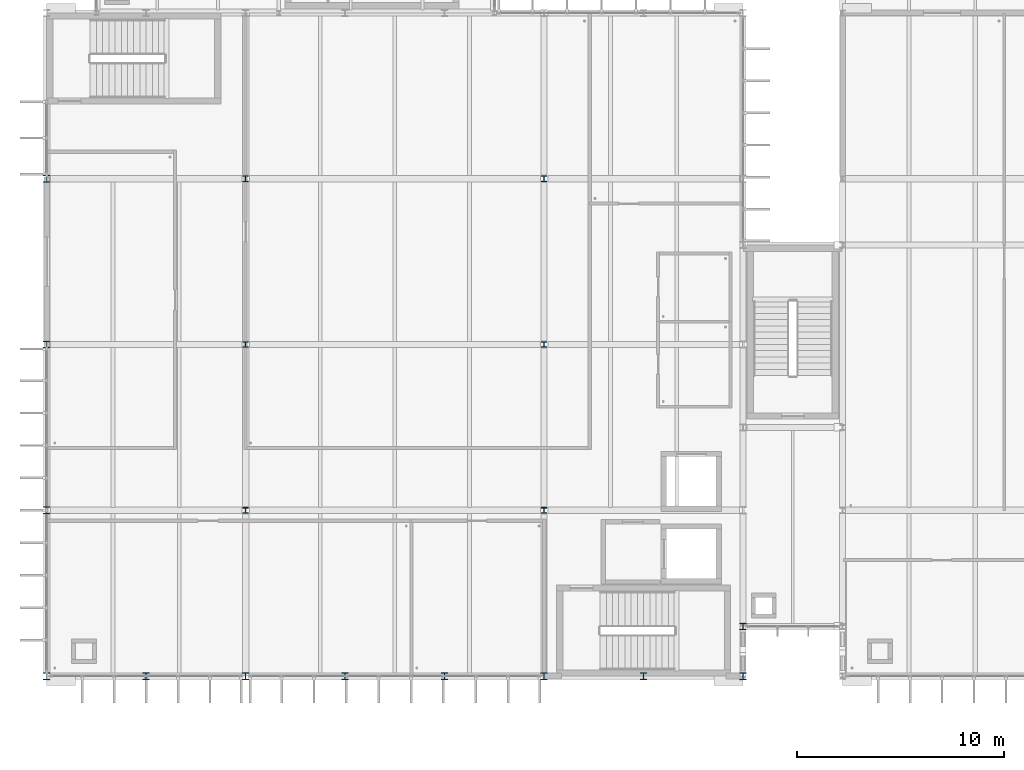
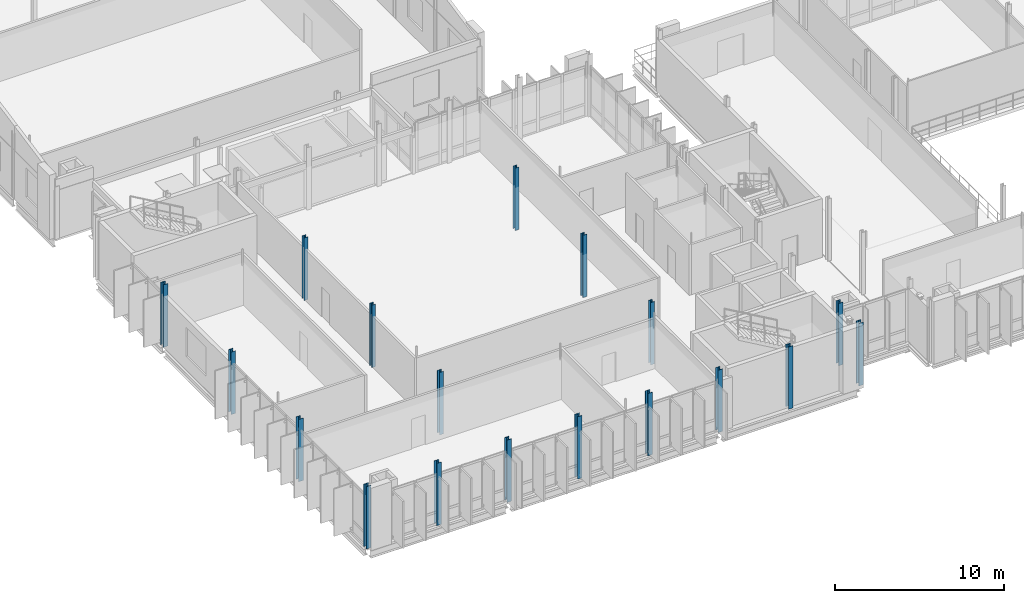
# One storey, part 1 of 93: 18 columns.
"""IFC4 building model written with IfcOpenShell, lengths in metres."""

import ifcopenshell
import ifcopenshell.guid

model = None  # the IFC model being written
_history = None  # IfcOwnerHistory: only IFC2X3 demands one
_inside = {}  # id of a spatial element -> (the spatial element, [elements in it])
_under = {}  # id of a project, library or spatial element -> (it, [spatial elements below it])
_declared = {}  # id of a project -> (the project, [libraries it declares])
_typed = {}  # id of a type object -> (the type object, [elements of that type])
_made_of = {}  # id of a material, layer set ... -> (it, [elements and type objects made of it])


def new_model(schema):
    """Start an empty IFC model of exactly this schema.

    Asked for "IFC4X3", IfcOpenShell would pick the latest addendum, in which some entities
    have other attributes; the version numbers below select the first issue.
    IFC2X3 requires an IfcOwnerHistory on every rooted entity: one is made here for all.
    """
    global model, _history
    if schema == "IFC4X3":
        model = ifcopenshell.file(schema_version=(4, 3, 0, 0))
    else:
        model = ifcopenshell.file(schema=schema)
    _inside.clear()
    _under.clear()
    _declared.clear()
    _typed.clear()
    _made_of.clear()
    _history = None
    if model.schema == "IFC2X3":
        org = make("IfcOrganization", Name="unknown")
        user = make(
            "IfcPersonAndOrganization",
            ThePerson=make("IfcPerson", FamilyName="unknown"),
            TheOrganization=org,
        )
        app = make(
            "IfcApplication",
            ApplicationDeveloper=org,
            Version="unknown",
            ApplicationFullName="unknown",
            ApplicationIdentifier="unknown",
        )
        _history = make(
            "IfcOwnerHistory",
            OwningUser=user,
            OwningApplication=app,
            ChangeAction="ADDED",
            CreationDate=0,
        )
    return model


def make(cls, **values):
    """One entity of the class cls with the attributes given. An attribute that is None is left unset."""
    return model.create_entity(
        cls, **{name: value for name, value in values.items() if value is not None}
    )


def rooted(cls, **values):
    """An entity with a GlobalId (a new one), such as an element, a storey or a relation."""
    return make(cls, GlobalId=ifcopenshell.guid.new(), OwnerHistory=_history, **values)


def si_unit(unit_type, name, prefix=None):
    """IfcSIUnit, for example si_unit("LENGTHUNIT", "METRE", prefix="MILLI")."""
    return make("IfcSIUnit", UnitType=unit_type, Prefix=prefix, Name=name)


def assignment(units):
    """IfcUnitAssignment: the units of a project."""
    return None if units is None else make("IfcUnitAssignment", Units=units)


def point(xyz):
    """IfcCartesianPoint."""
    return None if xyz is None else make("IfcCartesianPoint", Coordinates=xyz)


def direction(xyz):
    """IfcDirection."""
    return None if xyz is None else make("IfcDirection", DirectionRatios=xyz)


def frame(location, z_axis=None, x_axis=None):
    """IfcAxis2Placement3D, a coordinate frame: its origin and axes. An axis left out is left unset."""
    return make(
        "IfcAxis2Placement3D",
        Location=point(location),
        Axis=direction(z_axis),
        RefDirection=direction(x_axis),
    )


def frame_2d(location, x_axis=None):
    """IfcAxis2Placement2D, a coordinate frame in the plane: its origin and x axis."""
    return make(
        "IfcAxis2Placement2D", Location=point(location), RefDirection=direction(x_axis)
    )


def origin():
    """The frame at (0, 0, 0) with its axes left unset."""
    return frame((0.0, 0.0, 0.0))


def origin_2d():
    """The frame at (0, 0) in the plane with its x axis left unset."""
    return frame_2d((0.0, 0.0))


def place(relative_to, where):
    """IfcLocalPlacement: puts the frame where relative to a parent placement (None: the world)."""
    return make(
        "IfcLocalPlacement", PlacementRelTo=relative_to, RelativePlacement=where
    )


def context(
    kind, dimensions, precision=None, world=None, true_north=None, identifier=None
):
    """IfcGeometricRepresentationContext, for example the 3D "Model" context."""
    return make(
        "IfcGeometricRepresentationContext",
        ContextIdentifier=identifier,
        ContextType=kind,
        CoordinateSpaceDimension=dimensions,
        Precision=precision,
        WorldCoordinateSystem=world,
        TrueNorth=true_north,
    )


def subcontext(parent, identifier, kind, view, scale=None):
    """IfcGeometricRepresentationSubContext, for example "Body" below "Model"."""
    return make(
        "IfcGeometricRepresentationSubContext",
        ContextIdentifier=identifier,
        ContextType=kind,
        ParentContext=parent,
        TargetScale=scale,
        TargetView=view,
    )


def project(units=None, contexts=None):
    """IfcProject with its units and contexts."""
    return rooted(
        "IfcProject",
        Name="project",
        RepresentationContexts=contexts,
        UnitsInContext=assignment(units),
    )


def spatial(cls, under=None, at=None, **own):
    """A site, building, storey or space (cls), placed at a placement, below another one or the project."""
    s = rooted(cls, ObjectPlacement=at, **own)
    if under is not None:
        _under.setdefault(under.id(), (under, []))[1].append(s)
    return s


def profile(cls, at=None, kind="AREA", **sizes):
    """A parametric profile (cls). Its sizes go by their IFC names, for example OverallWidth=200.0."""
    return make(cls, ProfileType=kind, Position=at, **sizes)


def i_section(**sizes):
    """IfcIShapeProfileDef."""
    return profile("IfcIShapeProfileDef", **sizes)


def extrude(swept, where, along, depth):
    """IfcExtrudedAreaSolid: the profile swept, set in the frame where, extruded along a direction by depth."""
    return make(
        "IfcExtrudedAreaSolid",
        SweptArea=swept,
        Position=where,
        ExtrudedDirection=direction(along),
        Depth=depth,
    )


def shape(context_of_items, identifier, shape_type, items):
    """IfcShapeRepresentation: the items that make up one representation, for example the "Body"."""
    return make(
        "IfcShapeRepresentation",
        ContextOfItems=context_of_items,
        RepresentationIdentifier=identifier,
        RepresentationType=shape_type,
        Items=items,
    )


def material(Name=None, Category=None):
    """IfcMaterial."""
    return make("IfcMaterial", Name=Name, Category=Category)


def material_profile(
    of_material, cross_section, Name=None, Category=None, Priority=None
):
    """IfcMaterialProfile: a cross section and its material."""
    return make(
        "IfcMaterialProfile",
        Name=Name,
        Material=of_material,
        Profile=cross_section,
        Priority=Priority,
        Category=Category,
    )


def profile_set(profiles, Name=None, composite=None):
    """IfcMaterialProfileSet."""
    return make(
        "IfcMaterialProfileSet",
        Name=Name,
        MaterialProfiles=profiles,
        CompositeProfile=composite,
    )


def made_of(thing, what):
    """Note that an element or type object is made of a material, layer set ...; save() writes the relation."""
    if what is not None:
        _made_of.setdefault(what.id(), (what, []))[1].append(thing)
    return thing


def type_object(cls, material=None, **own):
    """A type object (cls), such as IfcWallType, which elements share."""
    return made_of(rooted(cls, **own), material)


def element(
    cls,
    number,
    at=None,
    inside=None,
    cuts=None,
    type_object=None,
    material=None,
    context=None,
    identifier="Body",
    shape_type=None,
    held_by="IfcProductDefinitionShape",
    body=None,
    shapes=None,
    **own,
):
    """One element of the class cls, such as IfcWall. Its Tag is "e" and its number.

    at: its placement. inside: the storey or other place that contains it. cuts: it is an
    opening in that element (IfcRelVoidsElement). A single representation is given by context,
    identifier, shape_type and body (its items); several are given by shapes. held_by: the class
    of the entity that holds the representations. save() writes the other relations.
    """
    e = rooted(cls, Tag="e%d" % number, ObjectPlacement=at, **own)
    if body is not None:
        shapes = [shape(context, identifier, shape_type, body)]
    if shapes is not None:
        e.Representation = make(held_by, Representations=shapes)
    if inside is not None:
        _inside.setdefault(inside.id(), (inside, []))[1].append(e)
    if cuts is not None:
        rooted(
            "IfcRelVoidsElement", RelatingBuildingElement=cuts, RelatedOpeningElement=e
        )
    if type_object is not None:
        _typed.setdefault(type_object.id(), (type_object, []))[1].append(e)
    return made_of(e, material)


def aggregate(whole, parts):
    """IfcRelAggregates: a whole, such as a stair, and the parts it consists of."""
    return rooted("IfcRelAggregates", RelatingObject=whole, RelatedObjects=parts)


def save(model, path):
    """Write the relations noted so far, then the file.

    IfcRelAggregates (storeys below a building ...), IfcRelContainedInSpatialStructure (elements
    in a storey), IfcRelDefinesByType, IfcRelAssociatesMaterial and IfcRelDeclares: one each for
    every whole, place, type object, material and project.
    """
    for whole, parts in _under.values():
        aggregate(whole, parts)
    for where, things in _inside.values():
        rooted(
            "IfcRelContainedInSpatialStructure",
            RelatedElements=things,
            RelatingStructure=where,
        )
    for kind, things in _typed.values():
        rooted("IfcRelDefinesByType", RelatedObjects=things, RelatingType=kind)
    for what, things in _made_of.values():
        rooted("IfcRelAssociatesMaterial", RelatedObjects=things, RelatingMaterial=what)
    for by, libraries in _declared.values():
        rooted("IfcRelDeclares", RelatingContext=by, RelatedDefinitions=libraries)
    model.write(path)


model = new_model("IFC4")

# Units and contexts
model_context = context("Model", 3, precision=1e-05, world=origin(), true_north=direction((0.0, 1.0)))
body_context = subcontext(model_context, "Body", "Model", "MODEL_VIEW")
ifc_project = project(units=[si_unit("LENGTHUNIT", "METRE"), si_unit("AREAUNIT", "SQUARE_METRE"), si_unit("VOLUMEUNIT", "CUBIC_METRE"), si_unit("PLANEANGLEUNIT", "RADIAN"), si_unit("MASSUNIT", "GRAM", prefix="KILO")], contexts=[model_context])

# Site, building, storey
site_placement = place(None, origin())
site = spatial("IfcSite", under=ifc_project, at=site_placement, CompositionType="ELEMENT")
building_placement = place(site_placement, origin())
building = spatial("IfcBuilding", under=site, at=building_placement, Name="Dunescarp Central Library", CompositionType="ELEMENT")
storey_placement = place(building_placement, frame((0.0, 0.0, 14.10009765625)))
storey = spatial("IfcBuildingStorey", under=building, at=storey_placement, Name="L03", CompositionType="ELEMENT", Elevation=14.10009765625)

# Columns
ifc_material = material(Name="Steel S355JR", Category="steel")
ifc_material_profile_1 = material_profile(ifc_material, i_section(OverallWidth=0.26123046875, OverallDepth=0.2763671875, WebThickness=0.015380859375, FlangeThickness=0.025390625, at=origin_2d()), Name="UC 254x254x132")
ifc_profile_set_1 = profile_set([ifc_material_profile_1], Name="Steel S355JR")
column_type_1 = type_object("IfcColumnType", Name="STR-COL-UC254X132", PredefinedType="COLUMN", material=ifc_profile_set_1)
for number, where, z_axis, x_axis, name in (
    (1, (9.60009765625, 12.800048828125, 0.0), (0.0, 0.0, 1.0), (1.0, 0.0, 0.0), "L03 column V1I-96-128"),
    (2, (9.60009765625, 20.800048828125, 0.0), (0.0, 0.0, 1.0), (1.0, 0.0, 0.0), "L03 column V1I-96-208"),
    (3, (9.60009765625, 28.800048828125, 0.0), (0.0, 0.0, 1.0), (1.0, 0.0, 0.0), "L03 column V1I-96-288"),
    (4, (24.0, 12.800048828125, 0.0), (0.0, 0.0, 1.0), (1.0, 0.0, 0.0), "L03 column V1I-240-128"),
    (5, (24.0, 20.800048828125, 0.0), (0.0, 0.0, 1.0), (1.0, 0.0, 0.0), "L03 column V1I-240-208"),
    (6, (24.0, 28.800048828125, 0.0), (0.0, 0.0, 1.0), (1.0, 0.0, 0.0), "L03 column V1I-240-288"),
):
    element("IfcColumn", number, at=place(storey_placement, frame(where, z_axis=z_axis, x_axis=x_axis)), inside=storey, type_object=column_type_1, Name=name, PredefinedType="COLUMN", context=body_context, shape_type="SweptSolid", body=[
        extrude(i_section(OverallWidth=0.26123046875, OverallDepth=0.2763671875, WebThickness=0.015380859375, FlangeThickness=0.025390625, at=origin_2d()), origin(), (0.0, 0.0, 1.0), 4.5),
    ])
ifc_material_profile_2 = material_profile(ifc_material, i_section(OverallWidth=0.311279296875, OverallDepth=0.3271484375, WebThickness=0.015869140625, FlangeThickness=0.02490234375, at=origin_2d()), Name="UC 305x305x158")
ifc_profile_set_2 = profile_set([ifc_material_profile_2], Name="Steel S355JR")
column_type_2 = type_object("IfcColumnType", Name="STR-COL-UC305X158", PredefinedType="COLUMN", material=ifc_profile_set_2)
for number, where, z_axis, x_axis, name in (
    (7, (0.0, 4.800048828125, 0.0), (0.0, 0.0, 1.0), (1.0, 0.0, 0.0), "L03 column V1P-0-48"),
    (8, (4.800048828125, 4.800048828125, 0.0), (0.0, 0.0, 1.0), (1.0, 0.0, 0.0), "L03 column V1P-48-48"),
    (9, (9.60009765625, 4.800048828125, 0.0), (0.0, 0.0, 1.0), (1.0, 0.0, 0.0), "L03 column V1P-96-48"),
    (10, (14.39990234375, 4.800048828125, 0.0), (0.0, 0.0, 1.0), (1.0, 0.0, 0.0), "L03 column V1P-144-48"),
    (11, (19.199951171875, 4.800048828125, 0.0), (0.0, 0.0, 1.0), (1.0, 0.0, 0.0), "L03 column V1P-192-48"),
    (12, (24.0, 4.800048828125, 0.0), (0.0, 0.0, 1.0), (1.0, 0.0, 0.0), "L03 column V1P-240-48"),
    (13, (28.800048828125, 4.800048828125, 0.0), (0.0, 0.0, 1.0), (1.0, 0.0, 0.0), "L03 column V1P-288-48"),
    (14, (33.60009765625, 4.800048828125, 0.0), (0.0, 0.0, 1.0), (1.0, 0.0, 0.0), "L03 column V1P-336-48"),
    (15, (0.0, 12.800048828125, 0.0), (0.0, 0.0, 1.0), (1.0, 0.0, 0.0), "L03 column V1P-0-128"),
    (16, (0.0, 20.800048828125, 0.0), (0.0, 0.0, 1.0), (1.0, 0.0, 0.0), "L03 column V1P-0-208"),
    (17, (0.0, 28.800048828125, 0.0), (0.0, 0.0, 1.0), (1.0, 0.0, 0.0), "L03 column V1P-0-288"),
    (18, (33.60009765625, 7.199951171875, 0.0), (0.0, 0.0, 1.0), (1.0, 0.0, 0.0), "L03 column V1P-336-72"),
):
    element("IfcColumn", number, at=place(storey_placement, frame(where, z_axis=z_axis, x_axis=x_axis)), inside=storey, type_object=column_type_2, Name=name, PredefinedType="COLUMN", context=body_context, shape_type="SweptSolid", body=[
        extrude(i_section(OverallWidth=0.311279296875, OverallDepth=0.3271484375, WebThickness=0.015869140625, FlangeThickness=0.02490234375, at=origin_2d()), origin(), (0.0, 0.0, 1.0), 4.5),
    ])

save(model, "model.ifc")
